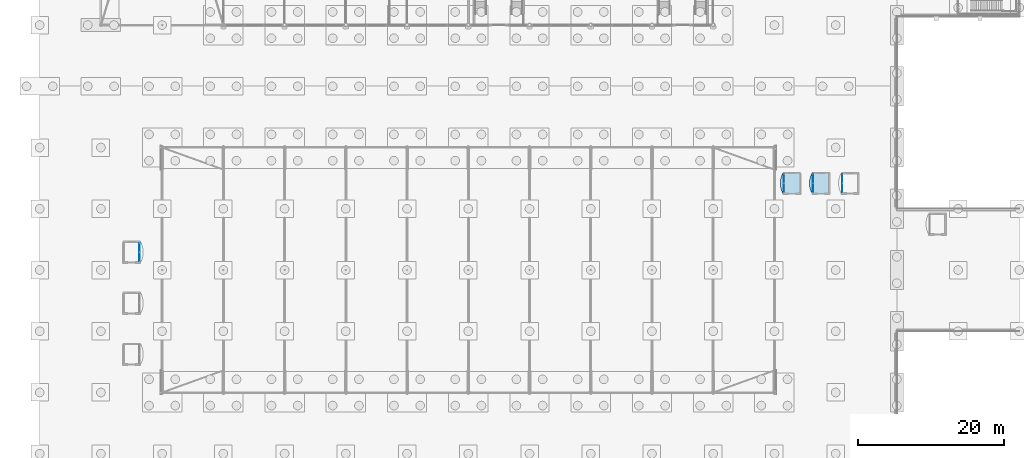
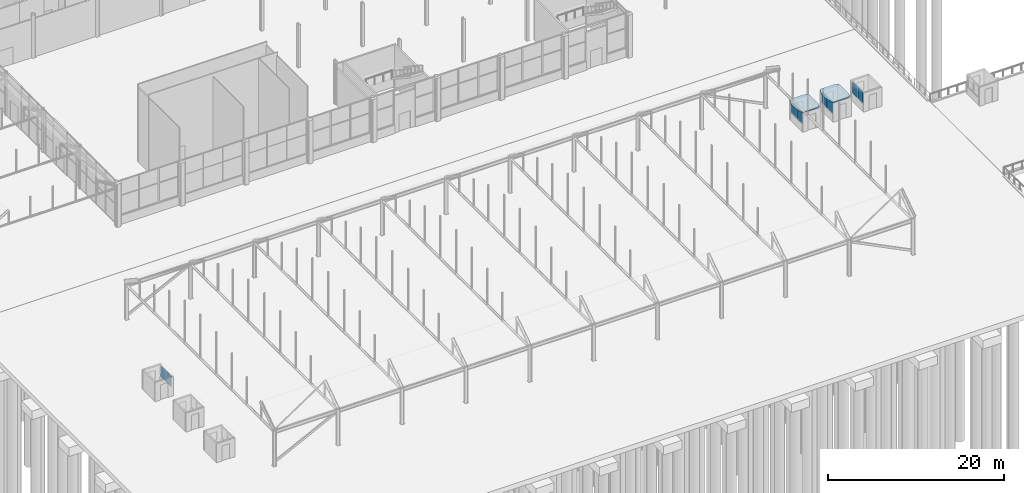
# One storey, part 170 of 212: 8 plates, 2 slabs, 4 elements without a shape of their own.
"""IFC4 building model written with IfcOpenShell, lengths in metres."""

from ifc_helpers import new_model, si_unit, direction, frame, origin, origin_2d, place, context, subcontext, project, spatial, polyline, rectangle, outline, extrude, material, layer, layer_set, type_object, element, aggregate, save


model = new_model("IFC4")

# Units and contexts
model_context = context("Model", 3, precision=1e-05, world=origin(), true_north=direction((0.0, 1.0)))
body_context = subcontext(model_context, "Body", "Model", "MODEL_VIEW")
ifc_project = project(units=[si_unit("LENGTHUNIT", "METRE"), si_unit("AREAUNIT", "SQUARE_METRE"), si_unit("VOLUMEUNIT", "CUBIC_METRE"), si_unit("PLANEANGLEUNIT", "RADIAN"), si_unit("MASSUNIT", "GRAM", prefix="KILO")], contexts=[model_context])

# Site, building, storey
site_placement = place(None, origin())
site = spatial("IfcSite", under=ifc_project, at=site_placement, CompositionType="ELEMENT")
building_placement = place(site_placement, origin())
building = spatial("IfcBuilding", under=site, at=building_placement, Name="Catenary Quay Ferry Terminal", CompositionType="ELEMENT")
storey_placement = place(building_placement, origin())
storey = spatial("IfcBuildingStorey", under=building, at=storey_placement, Name="L00", CompositionType="ELEMENT", Elevation=0.0)

# Slabs
ifc_material_1 = material(Name="Concrete C35/45", Category="concrete")
ifc_layer_1 = layer(ifc_material_1, 0.14990234375)
ifc_layer_set_1 = layer_set([ifc_layer_1], Name="BR1")
slab_type = type_object("IfcSlabType", Name="BR1", PredefinedType="ROOF", material=ifc_layer_set_1)
slab_1_placement = place(storey_placement, frame((0.0, 0.0, 2.64990234375)))
element("IfcSlab", 1, at=slab_1_placement, inside=storey, type_object=slab_type, Name="Booth roof slab BR1", PredefinedType="ROOF", context=body_context, shape_type="SweptSolid", body=[
    extrude(outline(polyline([(102.0, 44.0), (101.8271484375, 44.352294921875), (101.70166015625, 44.723876953125), (101.62548828125, 45.108642578125), (101.60009765625, 45.5), (101.62548828125, 45.891357421875), (101.70166015625, 46.276123046875), (101.8271484375, 46.647705078125), (102.0, 47.0), (103.800048828125, 47.0), (104.10009765625, 46.919677734375), (104.319580078125, 46.699951171875), (104.39990234375, 46.39990234375), (104.39990234375, 44.60009765625), (104.319580078125, 44.300048828125), (104.10009765625, 44.080322265625), (103.800048828125, 44.0), (102.0, 44.0)])), origin(), (0.0, 0.0, 1.0), 0.150146484375),
])
slab_2_placement = place(storey_placement, frame((0.0, 0.0, 2.64990234375)))
element("IfcSlab", 2, at=slab_2_placement, inside=storey, type_object=slab_type, Name="Booth roof slab BR1", PredefinedType="ROOF", context=body_context, shape_type="SweptSolid", body=[
    extrude(outline(polyline([(106.0, 44.0), (105.8271484375, 44.352294921875), (105.70166015625, 44.723876953125), (105.62548828125, 45.108642578125), (105.60009765625, 45.5), (105.62548828125, 45.891357421875), (105.70166015625, 46.276123046875), (105.8271484375, 46.647705078125), (106.0, 47.0), (107.800048828125, 47.0), (108.10009765625, 46.919677734375), (108.319580078125, 46.699951171875), (108.39990234375, 46.39990234375), (108.39990234375, 44.60009765625), (108.319580078125, 44.300048828125), (108.10009765625, 44.080322265625), (107.800048828125, 44.0), (106.0, 44.0)])), origin(), (0.0, 0.0, 1.0), 0.150146484375),
])

# Curtain wall, plates
ifc_material_2 = material(Name="Aluminium and glass", Category="aluminium")
curtain_wall_type = type_object("IfcCurtainWallType", Name="CWV", PredefinedType="NOTDEFINED", material=ifc_material_2)
curtain_wall_1_placement = place(storey_placement, origin())
curtain_wall_1 = element("IfcCurtainWall", 3, at=curtain_wall_1_placement, inside=storey, type_object=curtain_wall_type, Name="Booth curtain wall CW165", PredefinedType="NOTDEFINED")
ifc_material_3 = material(Name="Glass", Category="glass")
ifc_layer_2 = layer(ifc_material_3, 0.02490234375)
ifc_layer_set_2 = layer_set([ifc_layer_2], Name="PN3")
plate_type = type_object("IfcPlateType", Name="PN3", PredefinedType="CURTAIN_PANEL", material=ifc_layer_set_2)
plate_1_placement = place(storey_placement, frame((13.699951171875, 35.41259765625, 1.0498046875), z_axis=(0.0, 0.0, 1.0), x_axis=(0.0, 1.0, 0.0)))
plate_1 = element("IfcPlate", 4, at=plate_1_placement, type_object=plate_type, Name="CW165 panel 1.1", PredefinedType="CURTAIN_PANEL", context=body_context, shape_type="SweptSolid", body=[
    extrude(rectangle(XDim=1.22509765625, YDim=0.02490234375, at=origin_2d()), origin(), (0.0, 0.0, 1.0), 1.550048828125),
])
plate_2_placement = place(storey_placement, frame((13.699951171875, 36.6875, 1.0498046875), z_axis=(0.0, 0.0, 1.0), x_axis=(0.0, 1.0, 0.0)))
plate_2 = element("IfcPlate", 5, at=plate_2_placement, type_object=plate_type, Name="CW165 panel 2.1", PredefinedType="CURTAIN_PANEL", context=body_context, shape_type="SweptSolid", body=[
    extrude(rectangle(XDim=1.22509765625, YDim=0.02490234375, at=origin_2d()), origin(), (0.0, 0.0, 1.0), 1.550048828125),
])
aggregate(curtain_wall_1, [plate_1, plate_2])

curtain_wall_2_placement = place(storey_placement, origin())
curtain_wall_2 = element("IfcCurtainWall", 6, at=curtain_wall_2_placement, inside=storey, type_object=curtain_wall_type, Name="Booth curtain wall CW166", PredefinedType="NOTDEFINED")
plate_3_placement = place(storey_placement, frame((102.10009765625, 44.862548828125, 1.0498046875), z_axis=(0.0, 0.0, 1.0), x_axis=(0.0, 1.0, 0.0)))
plate_3 = element("IfcPlate", 7, at=plate_3_placement, type_object=plate_type, Name="CW166 panel 1.1", PredefinedType="CURTAIN_PANEL", context=body_context, shape_type="SweptSolid", body=[
    extrude(rectangle(XDim=1.22509765625, YDim=0.02490234375, at=origin_2d()), origin(), (0.0, 0.0, 1.0), 1.550048828125),
])
plate_4_placement = place(storey_placement, frame((102.10009765625, 46.137451171875, 1.0498046875), z_axis=(0.0, 0.0, 1.0), x_axis=(0.0, 1.0, 0.0)))
plate_4 = element("IfcPlate", 8, at=plate_4_placement, type_object=plate_type, Name="CW166 panel 2.1", PredefinedType="CURTAIN_PANEL", context=body_context, shape_type="SweptSolid", body=[
    extrude(rectangle(XDim=1.22509765625, YDim=0.02490234375, at=origin_2d()), origin(), (0.0, 0.0, 1.0), 1.550048828125),
])
aggregate(curtain_wall_2, [plate_3, plate_4])

curtain_wall_3_placement = place(storey_placement, origin())
curtain_wall_3 = element("IfcCurtainWall", 9, at=curtain_wall_3_placement, inside=storey, type_object=curtain_wall_type, Name="Booth curtain wall CW167", PredefinedType="NOTDEFINED")
plate_5_placement = place(storey_placement, frame((106.10009765625, 44.862548828125, 1.0498046875), z_axis=(0.0, 0.0, 1.0), x_axis=(0.0, 1.0, 0.0)))
plate_5 = element("IfcPlate", 10, at=plate_5_placement, type_object=plate_type, Name="CW167 panel 1.1", PredefinedType="CURTAIN_PANEL", context=body_context, shape_type="SweptSolid", body=[
    extrude(rectangle(XDim=1.22509765625, YDim=0.02490234375, at=origin_2d()), origin(), (0.0, 0.0, 1.0), 1.550048828125),
])
plate_6_placement = place(storey_placement, frame((106.10009765625, 46.137451171875, 1.0498046875), z_axis=(0.0, 0.0, 1.0), x_axis=(0.0, 1.0, 0.0)))
plate_6 = element("IfcPlate", 11, at=plate_6_placement, type_object=plate_type, Name="CW167 panel 2.1", PredefinedType="CURTAIN_PANEL", context=body_context, shape_type="SweptSolid", body=[
    extrude(rectangle(XDim=1.22509765625, YDim=0.02490234375, at=origin_2d()), origin(), (0.0, 0.0, 1.0), 1.550048828125),
])
aggregate(curtain_wall_3, [plate_5, plate_6])

curtain_wall_4_placement = place(storey_placement, origin())
curtain_wall_4 = element("IfcCurtainWall", 12, at=curtain_wall_4_placement, inside=storey, type_object=curtain_wall_type, Name="Booth curtain wall CW168", PredefinedType="NOTDEFINED")
plate_7_placement = place(storey_placement, frame((110.10009765625, 44.862548828125, 1.0498046875), z_axis=(0.0, 0.0, 1.0), x_axis=(0.0, 1.0, 0.0)))
plate_7 = element("IfcPlate", 13, at=plate_7_placement, type_object=plate_type, Name="CW168 panel 1.1", PredefinedType="CURTAIN_PANEL", context=body_context, shape_type="SweptSolid", body=[
    extrude(rectangle(XDim=1.22509765625, YDim=0.02490234375, at=origin_2d()), origin(), (0.0, 0.0, 1.0), 1.550048828125),
])
plate_8_placement = place(storey_placement, frame((110.10009765625, 46.137451171875, 1.0498046875), z_axis=(0.0, 0.0, 1.0), x_axis=(0.0, 1.0, 0.0)))
plate_8 = element("IfcPlate", 14, at=plate_8_placement, type_object=plate_type, Name="CW168 panel 2.1", PredefinedType="CURTAIN_PANEL", context=body_context, shape_type="SweptSolid", body=[
    extrude(rectangle(XDim=1.22509765625, YDim=0.02490234375, at=origin_2d()), origin(), (0.0, 0.0, 1.0), 1.550048828125),
])
aggregate(curtain_wall_4, [plate_7, plate_8])

save(model, "model.ifc")
